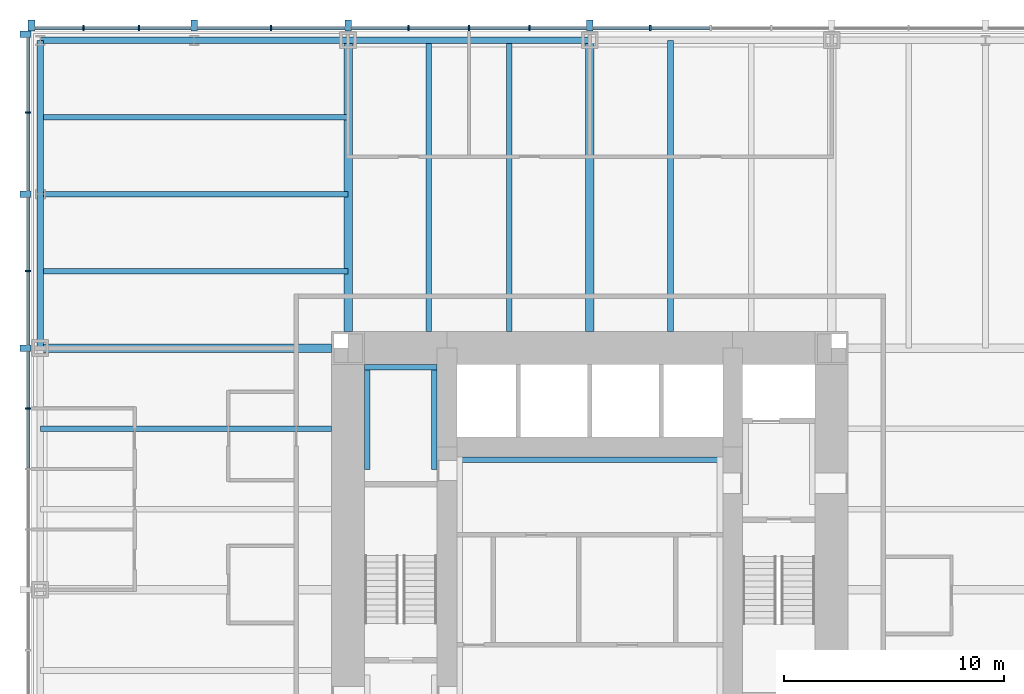
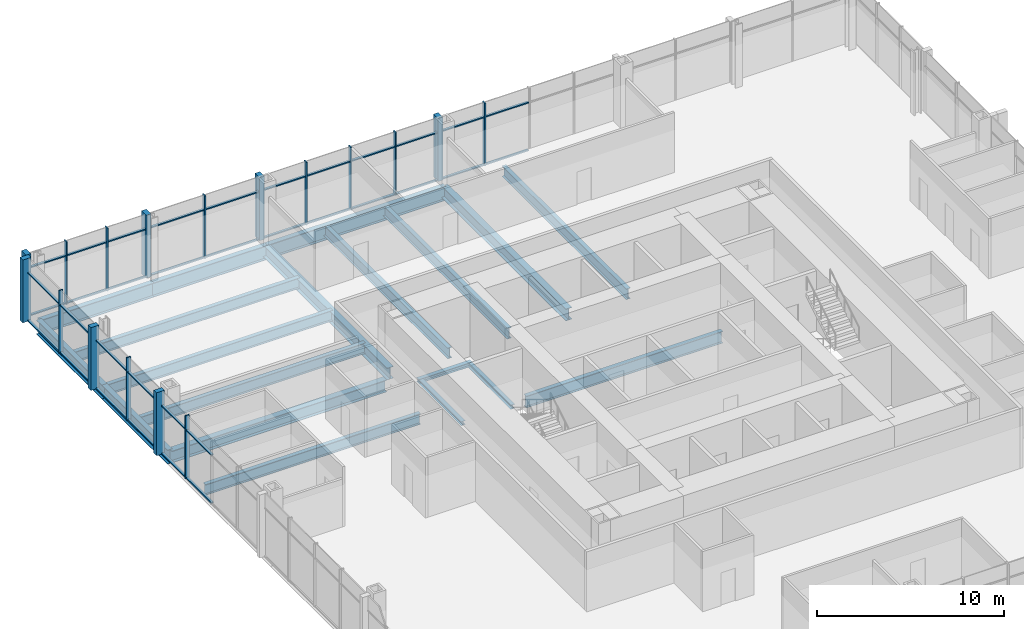
# One storey, part 5 of 12: 51 members, 19 beams, 2 elements without a shape of their own.
"""IFC4 building model written with IfcOpenShell, lengths in metres."""

from ifc_helpers import new_model, si_unit, direction, frame, origin, origin_2d, place, context, subcontext, project, spatial, rectangle, i_section, extrude, material, material_profile, profile_set, type_object, element, aggregate, save


model = new_model("IFC4")

# Units and contexts
model_context = context("Model", 3, precision=1e-05, world=origin(), true_north=direction((0.0, 1.0)))
body_context = subcontext(model_context, "Body", "Model", "MODEL_VIEW")
ifc_project = project(units=[si_unit("LENGTHUNIT", "METRE"), si_unit("AREAUNIT", "SQUARE_METRE"), si_unit("VOLUMEUNIT", "CUBIC_METRE"), si_unit("PLANEANGLEUNIT", "RADIAN"), si_unit("MASSUNIT", "GRAM", prefix="KILO")], contexts=[model_context])

# Site, building, storey
site_placement = place(None, origin())
site = spatial("IfcSite", under=ifc_project, at=site_placement, CompositionType="ELEMENT")
building_placement = place(site_placement, origin())
building = spatial("IfcBuilding", under=site, at=building_placement, Name="Trevanion Tower", CompositionType="ELEMENT")
storey_placement = place(building_placement, frame((0.0, 0.0, 61.10009765625)))
storey = spatial("IfcBuildingStorey", under=building, at=storey_placement, Name="L14", CompositionType="ELEMENT", Elevation=61.10009765625)

# Beams
ifc_material_1 = material(Name="Steel ASTM A992 Grade 50", Category="steel")
ifc_material_profile_1 = material_profile(ifc_material_1, i_section(OverallWidth=0.25390625, OverallDepth=0.700927734375, WebThickness=0.015380859375, FlangeThickness=0.02783203125, at=origin_2d()), Name="W27X129")
ifc_profile_set_1 = profile_set([ifc_material_profile_1], Name="Steel ASTM A992 Grade 50")
beam_type_1 = type_object("IfcBeamType", Name="B3 W27X129", PredefinedType="BEAM", material=ifc_profile_set_1)
for number, where, z_axis, x_axis, name in (
    (1, (3.666748046875, 11.75, -0.54052734375), (0.0, 1.0, 0.0), (-1.0, 0.0, 0.0), "B3 L14"),
    (2, (-3.666748046875, 11.75, -0.54052734375), (0.0, 1.0, 0.0), (-1.0, 0.0, 0.0), "B3 L14"),
    (3, (-7.333251953125, 11.75, -0.54052734375), (0.0, 1.0, 0.0), (-1.0, 0.0, 0.0), "B3 L14"),
    (4, (-11.75, 7.333251953125, -0.54052734375), (-1.0, 0.0, 0.0), (0.0, -1.0, 0.0), "B3 L14"),
):
    element("IfcBeam", number, at=place(storey_placement, frame(where, z_axis=z_axis, x_axis=x_axis)), inside=storey, type_object=beam_type_1, Name=name, PredefinedType="BEAM", context=body_context, shape_type="SweptSolid", body=[
        extrude(i_section(OverallWidth=0.25390625, OverallDepth=0.700927734375, WebThickness=0.015380859375, FlangeThickness=0.02783203125, at=origin_2d()), origin(), (0.0, 0.0, 1.0), 13.25),
    ])
ifc_material_2 = material(Name="Steel ASTM A992 Grade 50", Category="steel")
ifc_material_profile_2 = material_profile(ifc_material_2, i_section(OverallWidth=0.256591796875, OverallDepth=0.693359375, WebThickness=0.014404296875, FlangeThickness=0.023681640625, at=origin_2d()), Name="W27X114")
ifc_profile_set_2 = profile_set([ifc_material_profile_2], Name="Steel ASTM A992 Grade 50")
beam_type_2 = type_object("IfcBeamType", Name="B4 W27X114", PredefinedType="BEAM", material=ifc_profile_set_2)
for number, where, z_axis, x_axis, name in (
    (5, (-11.0, 14.5, -0.536865234375), (-1.0, 0.0, 0.0), (0.0, -1.0, 0.0), "B4 L14"),
    (6, (-11.0, 18.0, -0.536865234375), (-1.0, 0.0, 0.0), (0.0, -1.0, 0.0), "B4 L14"),
    (7, (-11.0, 21.5, -0.536865234375), (-1.0, 0.0, 0.0), (0.0, -1.0, 0.0), "B4 L14"),
):
    element("IfcBeam", number, at=place(storey_placement, frame(where, z_axis=z_axis, x_axis=x_axis)), inside=storey, type_object=beam_type_2, Name=name, PredefinedType="BEAM", context=body_context, shape_type="SweptSolid", body=[
        extrude(i_section(OverallWidth=0.256591796875, OverallDepth=0.693359375, WebThickness=0.014404296875, FlangeThickness=0.023681640625, at=origin_2d()), origin(), (0.0, 0.0, 1.0), 14.0),
    ])

# Curtain wall, members
ifc_material_3 = material(Name="Aluminium and glass", Category="aluminium")
curtain_wall_type = type_object("IfcCurtainWallType", Name="CW1 curtain wall", PredefinedType="USERDEFINED", material=ifc_material_3)
curtain_wall_1_placement = place(storey_placement, origin())
curtain_wall_1 = element("IfcCurtainWall", 8, at=curtain_wall_1_placement, inside=storey, type_object=curtain_wall_type, Name="CW1 L14 1", ObjectType="UNITISED CURTAIN WALL", PredefinedType="USERDEFINED")
ifc_material_4 = material(Name="Aluminium extrusion, anodised bronze", Category="aluminium")
ifc_material_profile_3 = material_profile(ifc_material_4, rectangle(XDim=0.074951171875, YDim=0.25, at=origin_2d()), Name="CW1 mullion")
ifc_profile_set_3 = profile_set([ifc_material_profile_3], Name="Aluminium extrusion, anodised bronze")
member_type_1 = type_object("IfcMemberType", Name="CW1 mullion", PredefinedType="MULLION", material=ifc_profile_set_3)
member_1_placement = place(storey_placement, frame((2.75, 25.550048828125, -0.190185546875), z_axis=(0.0, 0.0, 1.0), x_axis=(-1.0, 0.0, 0.0)))
member_1 = element("IfcMember", 9, at=member_1_placement, type_object=member_type_1, Name="CW1 mullion 8", PredefinedType="MULLION", context=body_context, shape_type="SweptSolid", body=[
    extrude(rectangle(XDim=0.074951171875, YDim=0.25, at=origin_2d()), origin(), (0.0, 0.0, 1.0), 4.10009765625),
])
member_2_placement = place(storey_placement, frame((-2.75, 25.550048828125, -0.190185546875), z_axis=(0.0, 0.0, 1.0), x_axis=(-1.0, 0.0, 0.0)))
member_2 = element("IfcMember", 10, at=member_2_placement, type_object=member_type_1, Name="CW1 mullion 10", PredefinedType="MULLION", context=body_context, shape_type="SweptSolid", body=[
    extrude(rectangle(XDim=0.074951171875, YDim=0.25, at=origin_2d()), origin(), (0.0, 0.0, 1.0), 4.10009765625),
])
member_3_placement = place(storey_placement, frame((-5.5, 25.550048828125, -0.190185546875), z_axis=(0.0, 0.0, 1.0), x_axis=(-1.0, 0.0, 0.0)))
member_3 = element("IfcMember", 11, at=member_3_placement, type_object=member_type_1, Name="CW1 mullion 11", PredefinedType="MULLION", context=body_context, shape_type="SweptSolid", body=[
    extrude(rectangle(XDim=0.074951171875, YDim=0.25, at=origin_2d()), origin(), (0.0, 0.0, 1.0), 4.10009765625),
])
member_4_placement = place(storey_placement, frame((-8.25, 25.550048828125, -0.190185546875), z_axis=(0.0, 0.0, 1.0), x_axis=(-1.0, 0.0, 0.0)))
member_4 = element("IfcMember", 12, at=member_4_placement, type_object=member_type_1, Name="CW1 mullion 12", PredefinedType="MULLION", context=body_context, shape_type="SweptSolid", body=[
    extrude(rectangle(XDim=0.074951171875, YDim=0.25, at=origin_2d()), origin(), (0.0, 0.0, 1.0), 4.10009765625),
])
member_5_placement = place(storey_placement, frame((-14.5, 25.550048828125, -0.190185546875), z_axis=(0.0, 0.0, 1.0), x_axis=(-1.0, 0.0, 0.0)))
member_5 = element("IfcMember", 13, at=member_5_placement, type_object=member_type_1, Name="CW1 mullion 14", PredefinedType="MULLION", context=body_context, shape_type="SweptSolid", body=[
    extrude(rectangle(XDim=0.074951171875, YDim=0.25, at=origin_2d()), origin(), (0.0, 0.0, 1.0), 4.10009765625),
])
member_6_placement = place(storey_placement, frame((-20.5166015625, 25.550048828125, -0.190185546875), z_axis=(0.0, 0.0, 1.0), x_axis=(-1.0, 0.0, 0.0)))
member_6 = element("IfcMember", 14, at=member_6_placement, type_object=member_type_1, Name="CW1 mullion 16", PredefinedType="MULLION", context=body_context, shape_type="SweptSolid", body=[
    extrude(rectangle(XDim=0.074951171875, YDim=0.25, at=origin_2d()), origin(), (0.0, 0.0, 1.0), 4.10009765625),
])
member_7_placement = place(storey_placement, frame((-23.033203125, 25.550048828125, -0.190185546875), z_axis=(0.0, 0.0, 1.0), x_axis=(-1.0, 0.0, 0.0)))
member_7 = element("IfcMember", 15, at=member_7_placement, type_object=member_type_1, Name="CW1 mullion 17", PredefinedType="MULLION", context=body_context, shape_type="SweptSolid", body=[
    extrude(rectangle(XDim=0.074951171875, YDim=0.25, at=origin_2d()), origin(), (0.0, 0.0, 1.0), 4.10009765625),
])

curtain_wall_2_placement = place(storey_placement, origin())
curtain_wall_2 = element("IfcCurtainWall", 16, at=curtain_wall_2_placement, inside=storey, type_object=curtain_wall_type, Name="CW1 L14 2", ObjectType="UNITISED CURTAIN WALL", PredefinedType="USERDEFINED")
member_8_placement = place(storey_placement, frame((-25.550048828125, 21.7099609375, -0.190185546875), z_axis=(0.0, 0.0, 1.0), x_axis=(0.0, -1.0, 0.0)))
member_8 = element("IfcMember", 17, at=member_8_placement, type_object=member_type_1, Name="CW1 mullion 2", PredefinedType="MULLION", context=body_context, shape_type="SweptSolid", body=[
    extrude(rectangle(XDim=0.074951171875, YDim=0.25, at=origin_2d()), origin(), (0.0, 0.0, 1.0), 4.10009765625),
])
member_9_placement = place(storey_placement, frame((-25.550048828125, 14.5, -0.190185546875), z_axis=(0.0, 0.0, 1.0), x_axis=(0.0, -1.0, 0.0)))
member_9 = element("IfcMember", 18, at=member_9_placement, type_object=member_type_1, Name="CW1 mullion 4", PredefinedType="MULLION", context=body_context, shape_type="SweptSolid", body=[
    extrude(rectangle(XDim=0.074951171875, YDim=0.25, at=origin_2d()), origin(), (0.0, 0.0, 1.0), 4.10009765625),
])
member_10_placement = place(storey_placement, frame((-25.550048828125, 8.25, -0.190185546875), z_axis=(0.0, 0.0, 1.0), x_axis=(0.0, -1.0, 0.0)))
member_10 = element("IfcMember", 19, at=member_10_placement, type_object=member_type_1, Name="CW1 mullion 6", PredefinedType="MULLION", context=body_context, shape_type="SweptSolid", body=[
    extrude(rectangle(XDim=0.074951171875, YDim=0.25, at=origin_2d()), origin(), (0.0, 0.0, 1.0), 4.10009765625),
])

# Member
ifc_material_5 = material(Name="Aluminium extrusion, anodised bronze", Category="aluminium")
ifc_material_profile_4 = material_profile(ifc_material_5, rectangle(XDim=0.300048828125, YDim=0.5, at=origin_2d()), Name="CW1 pier mullion")
ifc_profile_set_4 = profile_set([ifc_material_profile_4], Name="Aluminium extrusion, anodised bronze")
member_type_2 = type_object("IfcMemberType", Name="CW1 pier mullion", PredefinedType="MULLION", material=ifc_profile_set_4)
member_11_placement = place(storey_placement, frame((0.0, 25.675048828125, -0.190185546875), z_axis=(0.0, 0.0, 1.0), x_axis=(-1.0, 0.0, 0.0)))
member_11 = element("IfcMember", 20, at=member_11_placement, type_object=member_type_2, Name="CW1 pier mullion 9", PredefinedType="MULLION", context=body_context, shape_type="SweptSolid", body=[
    extrude(rectangle(XDim=0.300048828125, YDim=0.5, at=origin_2d()), origin(), (0.0, 0.0, 1.0), 4.10009765625),
])

member_12_placement = place(storey_placement, frame((-11.0, 25.675048828125, -0.190185546875), z_axis=(0.0, 0.0, 1.0), x_axis=(-1.0, 0.0, 0.0)))
member_12 = element("IfcMember", 21, at=member_12_placement, type_object=member_type_2, Name="CW1 pier mullion 13", PredefinedType="MULLION", context=body_context, shape_type="SweptSolid", body=[
    extrude(rectangle(XDim=0.300048828125, YDim=0.5, at=origin_2d()), origin(), (0.0, 0.0, 1.0), 4.10009765625),
])

member_13_placement = place(storey_placement, frame((-18.0, 25.675048828125, -0.190185546875), z_axis=(0.0, 0.0, 1.0), x_axis=(-1.0, 0.0, 0.0)))
member_13 = element("IfcMember", 22, at=member_13_placement, type_object=member_type_2, Name="CW1 pier mullion 15", PredefinedType="MULLION", context=body_context, shape_type="SweptSolid", body=[
    extrude(rectangle(XDim=0.300048828125, YDim=0.5, at=origin_2d()), origin(), (0.0, 0.0, 1.0), 4.10009765625),
])

member_14_placement = place(storey_placement, frame((-25.39990234375, 25.675048828125, -0.190185546875), z_axis=(0.0, 0.0, 1.0), x_axis=(-1.0, 0.0, 0.0)))
member_14 = element("IfcMember", 23, at=member_14_placement, type_object=member_type_2, Name="CW1 pier mullion 18", PredefinedType="MULLION", context=body_context, shape_type="SweptSolid", body=[
    extrude(rectangle(XDim=0.300048828125, YDim=0.5, at=origin_2d()), origin(), (0.0, 0.0, 1.0), 4.10009765625),
])

member_15_placement = place(storey_placement, frame((-25.675048828125, 25.27001953125, -0.190185546875), z_axis=(0.0, 0.0, 1.0), x_axis=(0.0, -1.0, 0.0)))
member_15 = element("IfcMember", 24, at=member_15_placement, type_object=member_type_2, Name="CW1 pier mullion 1", PredefinedType="MULLION", context=body_context, shape_type="SweptSolid", body=[
    extrude(rectangle(XDim=0.300048828125, YDim=0.5, at=origin_2d()), origin(), (0.0, 0.0, 1.0), 4.10009765625),
])

member_16_placement = place(storey_placement, frame((-25.675048828125, 18.0, -0.190185546875), z_axis=(0.0, 0.0, 1.0), x_axis=(0.0, -1.0, 0.0)))
member_16 = element("IfcMember", 25, at=member_16_placement, type_object=member_type_2, Name="CW1 pier mullion 3", PredefinedType="MULLION", context=body_context, shape_type="SweptSolid", body=[
    extrude(rectangle(XDim=0.300048828125, YDim=0.5, at=origin_2d()), origin(), (0.0, 0.0, 1.0), 4.10009765625),
])

member_17_placement = place(storey_placement, frame((-25.675048828125, 11.0, -0.190185546875), z_axis=(0.0, 0.0, 1.0), x_axis=(0.0, -1.0, 0.0)))
member_17 = element("IfcMember", 26, at=member_17_placement, type_object=member_type_2, Name="CW1 pier mullion 5", PredefinedType="MULLION", context=body_context, shape_type="SweptSolid", body=[
    extrude(rectangle(XDim=0.300048828125, YDim=0.5, at=origin_2d()), origin(), (0.0, 0.0, 1.0), 4.10009765625),
])

ifc_material_6 = material(Name="Aluminium extrusion, anodised bronze", Category="aluminium")
ifc_material_profile_5 = material_profile(ifc_material_6, rectangle(XDim=0.14990234375, YDim=0.074951171875, at=origin_2d()), Name="CW1 transom")
ifc_profile_set_5 = profile_set([ifc_material_profile_5], Name="Aluminium extrusion, anodised bronze")
member_type_3 = type_object("IfcMemberType", Name="CW1 transom", PredefinedType="USERDEFINED", material=ifc_profile_set_5)
member_18_placement = place(storey_placement, frame((5.46240234375, 25.550048828125, -0.152587890625), z_axis=(-1.0, 0.0, 0.0), x_axis=(0.0, -1.0, 0.0)))
member_18 = element("IfcMember", 27, at=member_18_placement, type_object=member_type_3, Name="CW1 transom 7.1", ObjectType="TRANSOM", PredefinedType="USERDEFINED", context=body_context, shape_type="SweptSolid", body=[
    extrude(rectangle(XDim=0.14990234375, YDim=0.074951171875, at=origin_2d()), origin(), (0.0, 0.0, 1.0), 2.6748046875),
])

member_19_placement = place(storey_placement, frame((5.46240234375, 25.550048828125, 2.9599609375), z_axis=(-1.0, 0.0, 0.0), x_axis=(0.0, -1.0, 0.0)))
member_19 = element("IfcMember", 28, at=member_19_placement, type_object=member_type_3, Name="CW1 transom 7.2", ObjectType="TRANSOM", PredefinedType="USERDEFINED", context=body_context, shape_type="SweptSolid", body=[
    extrude(rectangle(XDim=0.14990234375, YDim=0.074951171875, at=origin_2d()), origin(), (0.0, 0.0, 1.0), 2.6748046875),
])

member_20_placement = place(storey_placement, frame((2.71240234375, 25.550048828125, -0.152587890625), z_axis=(-1.0, 0.0, 0.0), x_axis=(0.0, -1.0, 0.0)))
member_20 = element("IfcMember", 29, at=member_20_placement, type_object=member_type_3, Name="CW1 transom 8.1", ObjectType="TRANSOM", PredefinedType="USERDEFINED", context=body_context, shape_type="SweptSolid", body=[
    extrude(rectangle(XDim=0.14990234375, YDim=0.074951171875, at=origin_2d()), origin(), (0.0, 0.0, 1.0), 2.5625),
])

member_21_placement = place(storey_placement, frame((2.71240234375, 25.550048828125, 2.9599609375), z_axis=(-1.0, 0.0, 0.0), x_axis=(0.0, -1.0, 0.0)))
member_21 = element("IfcMember", 30, at=member_21_placement, type_object=member_type_3, Name="CW1 transom 8.2", ObjectType="TRANSOM", PredefinedType="USERDEFINED", context=body_context, shape_type="SweptSolid", body=[
    extrude(rectangle(XDim=0.14990234375, YDim=0.074951171875, at=origin_2d()), origin(), (0.0, 0.0, 1.0), 2.5625),
])

member_22_placement = place(storey_placement, frame((-0.14990234375, 25.550048828125, -0.152587890625), z_axis=(-1.0, 0.0, 0.0), x_axis=(0.0, -1.0, 0.0)))
member_22 = element("IfcMember", 31, at=member_22_placement, type_object=member_type_3, Name="CW1 transom 9.1", ObjectType="TRANSOM", PredefinedType="USERDEFINED", context=body_context, shape_type="SweptSolid", body=[
    extrude(rectangle(XDim=0.14990234375, YDim=0.074951171875, at=origin_2d()), origin(), (0.0, 0.0, 1.0), 2.5625),
])

member_23_placement = place(storey_placement, frame((-0.14990234375, 25.550048828125, 2.9599609375), z_axis=(-1.0, 0.0, 0.0), x_axis=(0.0, -1.0, 0.0)))
member_23 = element("IfcMember", 32, at=member_23_placement, type_object=member_type_3, Name="CW1 transom 9.2", ObjectType="TRANSOM", PredefinedType="USERDEFINED", context=body_context, shape_type="SweptSolid", body=[
    extrude(rectangle(XDim=0.14990234375, YDim=0.074951171875, at=origin_2d()), origin(), (0.0, 0.0, 1.0), 2.5625),
])

member_24_placement = place(storey_placement, frame((-2.78759765625, 25.550048828125, -0.152587890625), z_axis=(-1.0, 0.0, 0.0), x_axis=(0.0, -1.0, 0.0)))
member_24 = element("IfcMember", 33, at=member_24_placement, type_object=member_type_3, Name="CW1 transom 10.1", ObjectType="TRANSOM", PredefinedType="USERDEFINED", context=body_context, shape_type="SweptSolid", body=[
    extrude(rectangle(XDim=0.14990234375, YDim=0.074951171875, at=origin_2d()), origin(), (0.0, 0.0, 1.0), 2.6748046875),
])

member_25_placement = place(storey_placement, frame((-2.78759765625, 25.550048828125, 2.9599609375), z_axis=(-1.0, 0.0, 0.0), x_axis=(0.0, -1.0, 0.0)))
member_25 = element("IfcMember", 34, at=member_25_placement, type_object=member_type_3, Name="CW1 transom 10.2", ObjectType="TRANSOM", PredefinedType="USERDEFINED", context=body_context, shape_type="SweptSolid", body=[
    extrude(rectangle(XDim=0.14990234375, YDim=0.074951171875, at=origin_2d()), origin(), (0.0, 0.0, 1.0), 2.6748046875),
])

member_26_placement = place(storey_placement, frame((-5.53759765625, 25.550048828125, -0.152587890625), z_axis=(-1.0, 0.0, 0.0), x_axis=(0.0, -1.0, 0.0)))
member_26 = element("IfcMember", 35, at=member_26_placement, type_object=member_type_3, Name="CW1 transom 11.1", ObjectType="TRANSOM", PredefinedType="USERDEFINED", context=body_context, shape_type="SweptSolid", body=[
    extrude(rectangle(XDim=0.14990234375, YDim=0.074951171875, at=origin_2d()), origin(), (0.0, 0.0, 1.0), 2.6748046875),
])

member_27_placement = place(storey_placement, frame((-5.53759765625, 25.550048828125, 2.9599609375), z_axis=(-1.0, 0.0, 0.0), x_axis=(0.0, -1.0, 0.0)))
member_27 = element("IfcMember", 36, at=member_27_placement, type_object=member_type_3, Name="CW1 transom 11.2", ObjectType="TRANSOM", PredefinedType="USERDEFINED", context=body_context, shape_type="SweptSolid", body=[
    extrude(rectangle(XDim=0.14990234375, YDim=0.074951171875, at=origin_2d()), origin(), (0.0, 0.0, 1.0), 2.6748046875),
])

member_28_placement = place(storey_placement, frame((-8.28759765625, 25.550048828125, -0.152587890625), z_axis=(-1.0, 0.0, 0.0), x_axis=(0.0, -1.0, 0.0)))
member_28 = element("IfcMember", 37, at=member_28_placement, type_object=member_type_3, Name="CW1 transom 12.1", ObjectType="TRANSOM", PredefinedType="USERDEFINED", context=body_context, shape_type="SweptSolid", body=[
    extrude(rectangle(XDim=0.14990234375, YDim=0.074951171875, at=origin_2d()), origin(), (0.0, 0.0, 1.0), 2.5625),
])

member_29_placement = place(storey_placement, frame((-8.28759765625, 25.550048828125, 2.9599609375), z_axis=(-1.0, 0.0, 0.0), x_axis=(0.0, -1.0, 0.0)))
member_29 = element("IfcMember", 38, at=member_29_placement, type_object=member_type_3, Name="CW1 transom 12.2", ObjectType="TRANSOM", PredefinedType="USERDEFINED", context=body_context, shape_type="SweptSolid", body=[
    extrude(rectangle(XDim=0.14990234375, YDim=0.074951171875, at=origin_2d()), origin(), (0.0, 0.0, 1.0), 2.5625),
])

member_30_placement = place(storey_placement, frame((-11.14990234375, 25.550048828125, -0.152587890625), z_axis=(-1.0, 0.0, 0.0), x_axis=(0.0, -1.0, 0.0)))
member_30 = element("IfcMember", 39, at=member_30_placement, type_object=member_type_3, Name="CW1 transom 13.1", ObjectType="TRANSOM", PredefinedType="USERDEFINED", context=body_context, shape_type="SweptSolid", body=[
    extrude(rectangle(XDim=0.14990234375, YDim=0.074951171875, at=origin_2d()), origin(), (0.0, 0.0, 1.0), 3.3125),
])

member_31_placement = place(storey_placement, frame((-11.14990234375, 25.550048828125, 2.9599609375), z_axis=(-1.0, 0.0, 0.0), x_axis=(0.0, -1.0, 0.0)))
member_31 = element("IfcMember", 40, at=member_31_placement, type_object=member_type_3, Name="CW1 transom 13.2", ObjectType="TRANSOM", PredefinedType="USERDEFINED", context=body_context, shape_type="SweptSolid", body=[
    extrude(rectangle(XDim=0.14990234375, YDim=0.074951171875, at=origin_2d()), origin(), (0.0, 0.0, 1.0), 3.3125),
])

member_32_placement = place(storey_placement, frame((-14.53759765625, 25.550048828125, -0.152587890625), z_axis=(-1.0, 0.0, 0.0), x_axis=(0.0, -1.0, 0.0)))
member_32 = element("IfcMember", 41, at=member_32_placement, type_object=member_type_3, Name="CW1 transom 14.1", ObjectType="TRANSOM", PredefinedType="USERDEFINED", context=body_context, shape_type="SweptSolid", body=[
    extrude(rectangle(XDim=0.14990234375, YDim=0.074951171875, at=origin_2d()), origin(), (0.0, 0.0, 1.0), 3.3125),
])

member_33_placement = place(storey_placement, frame((-14.53759765625, 25.550048828125, 2.9599609375), z_axis=(-1.0, 0.0, 0.0), x_axis=(0.0, -1.0, 0.0)))
member_33 = element("IfcMember", 42, at=member_33_placement, type_object=member_type_3, Name="CW1 transom 14.2", ObjectType="TRANSOM", PredefinedType="USERDEFINED", context=body_context, shape_type="SweptSolid", body=[
    extrude(rectangle(XDim=0.14990234375, YDim=0.074951171875, at=origin_2d()), origin(), (0.0, 0.0, 1.0), 3.3125),
])

member_34_placement = place(storey_placement, frame((-18.14990234375, 25.550048828125, -0.152587890625), z_axis=(-1.0, 0.0, 0.0), x_axis=(0.0, -1.0, 0.0)))
member_34 = element("IfcMember", 43, at=member_34_placement, type_object=member_type_3, Name="CW1 transom 15.1", ObjectType="TRANSOM", PredefinedType="USERDEFINED", context=body_context, shape_type="SweptSolid", body=[
    extrude(rectangle(XDim=0.14990234375, YDim=0.074951171875, at=origin_2d()), origin(), (0.0, 0.0, 1.0), 2.329345703125),
])

member_35_placement = place(storey_placement, frame((-18.14990234375, 25.550048828125, 2.9599609375), z_axis=(-1.0, 0.0, 0.0), x_axis=(0.0, -1.0, 0.0)))
member_35 = element("IfcMember", 44, at=member_35_placement, type_object=member_type_3, Name="CW1 transom 15.2", ObjectType="TRANSOM", PredefinedType="USERDEFINED", context=body_context, shape_type="SweptSolid", body=[
    extrude(rectangle(XDim=0.14990234375, YDim=0.074951171875, at=origin_2d()), origin(), (0.0, 0.0, 1.0), 2.329345703125),
])

member_36_placement = place(storey_placement, frame((-20.55419921875, 25.550048828125, -0.152587890625), z_axis=(-1.0, 0.0, 0.0), x_axis=(0.0, -1.0, 0.0)))
member_36 = element("IfcMember", 45, at=member_36_placement, type_object=member_type_3, Name="CW1 transom 16.1", ObjectType="TRANSOM", PredefinedType="USERDEFINED", context=body_context, shape_type="SweptSolid", body=[
    extrude(rectangle(XDim=0.14990234375, YDim=0.074951171875, at=origin_2d()), origin(), (0.0, 0.0, 1.0), 2.441650390625),
])

member_37_placement = place(storey_placement, frame((-20.55419921875, 25.550048828125, 2.9599609375), z_axis=(-1.0, 0.0, 0.0), x_axis=(0.0, -1.0, 0.0)))
member_37 = element("IfcMember", 46, at=member_37_placement, type_object=member_type_3, Name="CW1 transom 16.2", ObjectType="TRANSOM", PredefinedType="USERDEFINED", context=body_context, shape_type="SweptSolid", body=[
    extrude(rectangle(XDim=0.14990234375, YDim=0.074951171875, at=origin_2d()), origin(), (0.0, 0.0, 1.0), 2.441650390625),
])

member_38_placement = place(storey_placement, frame((-23.07080078125, 25.550048828125, -0.152587890625), z_axis=(-1.0, 0.0, 0.0), x_axis=(0.0, -1.0, 0.0)))
member_38 = element("IfcMember", 47, at=member_38_placement, type_object=member_type_3, Name="CW1 transom 17.1", ObjectType="TRANSOM", PredefinedType="USERDEFINED", context=body_context, shape_type="SweptSolid", body=[
    extrude(rectangle(XDim=0.14990234375, YDim=0.074951171875, at=origin_2d()), origin(), (0.0, 0.0, 1.0), 2.17919921875),
])

member_39_placement = place(storey_placement, frame((-23.07080078125, 25.550048828125, 2.9599609375), z_axis=(-1.0, 0.0, 0.0), x_axis=(0.0, -1.0, 0.0)))
member_39 = element("IfcMember", 48, at=member_39_placement, type_object=member_type_3, Name="CW1 transom 17.2", ObjectType="TRANSOM", PredefinedType="USERDEFINED", context=body_context, shape_type="SweptSolid", body=[
    extrude(rectangle(XDim=0.14990234375, YDim=0.074951171875, at=origin_2d()), origin(), (0.0, 0.0, 1.0), 2.17919921875),
])

aggregate(curtain_wall_1, [member_1, member_11, member_2, member_3, member_4, member_12, member_5, member_13, member_6, member_7, member_14, member_18, member_19, member_20, member_21, member_22, member_23, member_24, member_25, member_26, member_27, member_28, member_29, member_30, member_31, member_32, member_33, member_34, member_35, member_36, member_37, member_38, member_39])

member_40_placement = place(storey_placement, frame((-25.550048828125, 25.1201171875, -0.152587890625), z_axis=(0.0, -1.0, 0.0), x_axis=(1.0, 0.0, 0.0)))
member_40 = element("IfcMember", 49, at=member_40_placement, type_object=member_type_3, Name="CW1 transom 1.1", ObjectType="TRANSOM", PredefinedType="USERDEFINED", context=body_context, shape_type="SweptSolid", body=[
    extrude(rectangle(XDim=0.14990234375, YDim=0.074951171875, at=origin_2d()), origin(), (0.0, 0.0, 1.0), 3.37255859375),
])

member_41_placement = place(storey_placement, frame((-25.550048828125, 25.1201171875, 2.9599609375), z_axis=(0.0, -1.0, 0.0), x_axis=(1.0, 0.0, 0.0)))
member_41 = element("IfcMember", 50, at=member_41_placement, type_object=member_type_3, Name="CW1 transom 1.2", ObjectType="TRANSOM", PredefinedType="USERDEFINED", context=body_context, shape_type="SweptSolid", body=[
    extrude(rectangle(XDim=0.14990234375, YDim=0.074951171875, at=origin_2d()), origin(), (0.0, 0.0, 1.0), 3.37255859375),
])

member_42_placement = place(storey_placement, frame((-25.550048828125, 21.672607421875, -0.152587890625), z_axis=(0.0, -1.0, 0.0), x_axis=(1.0, 0.0, 0.0)))
member_42 = element("IfcMember", 51, at=member_42_placement, type_object=member_type_3, Name="CW1 transom 2.1", ObjectType="TRANSOM", PredefinedType="USERDEFINED", context=body_context, shape_type="SweptSolid", body=[
    extrude(rectangle(XDim=0.14990234375, YDim=0.074951171875, at=origin_2d()), origin(), (0.0, 0.0, 1.0), 3.522705078125),
])

member_43_placement = place(storey_placement, frame((-25.550048828125, 21.672607421875, 2.9599609375), z_axis=(0.0, -1.0, 0.0), x_axis=(1.0, 0.0, 0.0)))
member_43 = element("IfcMember", 52, at=member_43_placement, type_object=member_type_3, Name="CW1 transom 2.2", ObjectType="TRANSOM", PredefinedType="USERDEFINED", context=body_context, shape_type="SweptSolid", body=[
    extrude(rectangle(XDim=0.14990234375, YDim=0.074951171875, at=origin_2d()), origin(), (0.0, 0.0, 1.0), 3.522705078125),
])

member_44_placement = place(storey_placement, frame((-25.550048828125, 17.85009765625, -0.152587890625), z_axis=(0.0, -1.0, 0.0), x_axis=(1.0, 0.0, 0.0)))
member_44 = element("IfcMember", 53, at=member_44_placement, type_object=member_type_3, Name="CW1 transom 3.1", ObjectType="TRANSOM", PredefinedType="USERDEFINED", context=body_context, shape_type="SweptSolid", body=[
    extrude(rectangle(XDim=0.14990234375, YDim=0.074951171875, at=origin_2d()), origin(), (0.0, 0.0, 1.0), 3.3125),
])

member_45_placement = place(storey_placement, frame((-25.550048828125, 17.85009765625, 2.9599609375), z_axis=(0.0, -1.0, 0.0), x_axis=(1.0, 0.0, 0.0)))
member_45 = element("IfcMember", 54, at=member_45_placement, type_object=member_type_3, Name="CW1 transom 3.2", ObjectType="TRANSOM", PredefinedType="USERDEFINED", context=body_context, shape_type="SweptSolid", body=[
    extrude(rectangle(XDim=0.14990234375, YDim=0.074951171875, at=origin_2d()), origin(), (0.0, 0.0, 1.0), 3.3125),
])

member_46_placement = place(storey_placement, frame((-25.550048828125, 14.46240234375, -0.152587890625), z_axis=(0.0, -1.0, 0.0), x_axis=(1.0, 0.0, 0.0)))
member_46 = element("IfcMember", 55, at=member_46_placement, type_object=member_type_3, Name="CW1 transom 4.1", ObjectType="TRANSOM", PredefinedType="USERDEFINED", context=body_context, shape_type="SweptSolid", body=[
    extrude(rectangle(XDim=0.14990234375, YDim=0.074951171875, at=origin_2d()), origin(), (0.0, 0.0, 1.0), 3.3125),
])

member_47_placement = place(storey_placement, frame((-25.550048828125, 14.46240234375, 2.9599609375), z_axis=(0.0, -1.0, 0.0), x_axis=(1.0, 0.0, 0.0)))
member_47 = element("IfcMember", 56, at=member_47_placement, type_object=member_type_3, Name="CW1 transom 4.2", ObjectType="TRANSOM", PredefinedType="USERDEFINED", context=body_context, shape_type="SweptSolid", body=[
    extrude(rectangle(XDim=0.14990234375, YDim=0.074951171875, at=origin_2d()), origin(), (0.0, 0.0, 1.0), 3.3125),
])

member_48_placement = place(storey_placement, frame((-25.550048828125, 10.85009765625, -0.152587890625), z_axis=(0.0, -1.0, 0.0), x_axis=(1.0, 0.0, 0.0)))
member_48 = element("IfcMember", 57, at=member_48_placement, type_object=member_type_3, Name="CW1 transom 5.1", ObjectType="TRANSOM", PredefinedType="USERDEFINED", context=body_context, shape_type="SweptSolid", body=[
    extrude(rectangle(XDim=0.14990234375, YDim=0.074951171875, at=origin_2d()), origin(), (0.0, 0.0, 1.0), 2.5625),
])

member_49_placement = place(storey_placement, frame((-25.550048828125, 10.85009765625, 2.9599609375), z_axis=(0.0, -1.0, 0.0), x_axis=(1.0, 0.0, 0.0)))
member_49 = element("IfcMember", 58, at=member_49_placement, type_object=member_type_3, Name="CW1 transom 5.2", ObjectType="TRANSOM", PredefinedType="USERDEFINED", context=body_context, shape_type="SweptSolid", body=[
    extrude(rectangle(XDim=0.14990234375, YDim=0.074951171875, at=origin_2d()), origin(), (0.0, 0.0, 1.0), 2.5625),
])

member_50_placement = place(storey_placement, frame((-25.550048828125, 8.21240234375, -0.152587890625), z_axis=(0.0, -1.0, 0.0), x_axis=(1.0, 0.0, 0.0)))
member_50 = element("IfcMember", 59, at=member_50_placement, type_object=member_type_3, Name="CW1 transom 6.1", ObjectType="TRANSOM", PredefinedType="USERDEFINED", context=body_context, shape_type="SweptSolid", body=[
    extrude(rectangle(XDim=0.14990234375, YDim=0.074951171875, at=origin_2d()), origin(), (0.0, 0.0, 1.0), 2.6748046875),
])

member_51_placement = place(storey_placement, frame((-25.550048828125, 8.21240234375, 2.9599609375), z_axis=(0.0, -1.0, 0.0), x_axis=(1.0, 0.0, 0.0)))
member_51 = element("IfcMember", 60, at=member_51_placement, type_object=member_type_3, Name="CW1 transom 6.2", ObjectType="TRANSOM", PredefinedType="USERDEFINED", context=body_context, shape_type="SweptSolid", body=[
    extrude(rectangle(XDim=0.14990234375, YDim=0.074951171875, at=origin_2d()), origin(), (0.0, 0.0, 1.0), 2.6748046875),
])

aggregate(curtain_wall_2, [member_15, member_8, member_16, member_9, member_17, member_10, member_40, member_41, member_42, member_43, member_44, member_45, member_46, member_47, member_48, member_49, member_50, member_51])

# Beams
ifc_material_7 = material(Name="Steel ASTM A992 Grade 50", Category="steel")
ifc_material_profile_6 = material_profile(ifc_material_7, i_section(OverallWidth=0.381103515625, OverallDepth=0.77978515625, WebThickness=0.01806640625, FlangeThickness=0.0302734375, at=origin_2d()), Name="W30X191")
ifc_profile_set_6 = profile_set([ifc_material_profile_6], Name="Steel ASTM A992 Grade 50")
beam_type_3 = type_object("IfcBeamType", Name="G2 W30X191", PredefinedType="BEAM", material=ifc_profile_set_6)
for number, where, z_axis, x_axis, name in (
    (61, (0.0, 11.75, -0.580078125), (0.0, 1.0, 0.0), (-1.0, 0.0, 0.0), "G2 L14"),
    (62, (-11.0, 11.75, -0.580078125), (0.0, 1.0, 0.0), (-1.0, 0.0, 0.0), "G2 L14"),
    (63, (-11.75, 11.0, -0.580078125), (-1.0, 0.0, 0.0), (0.0, -1.0, 0.0), "G2 L14"),
):
    element("IfcBeam", number, at=place(storey_placement, frame(where, z_axis=z_axis, x_axis=x_axis)), inside=storey, type_object=beam_type_3, Name=name, PredefinedType="BEAM", context=body_context, shape_type="SweptSolid", body=[
        extrude(i_section(OverallWidth=0.381103515625, OverallDepth=0.77978515625, WebThickness=0.01806640625, FlangeThickness=0.0302734375, at=origin_2d()), origin(), (0.0, 0.0, 1.0), 13.25),
    ])
ifc_material_8 = material(Name="Steel ASTM A992 Grade 50", Category="steel")
ifc_material_profile_7 = material_profile(ifc_material_8, i_section(OverallWidth=0.256591796875, OverallDepth=0.26416015625, WebThickness=0.011962890625, FlangeThickness=0.01953125, at=origin_2d()), Name="W10X68")
ifc_profile_set_7 = profile_set([ifc_material_profile_7], Name="Steel ASTM A992 Grade 50")
beam_type_4 = type_object("IfcBeamType", Name="LB1 W10X68", PredefinedType="BEAM", material=ifc_profile_set_7)
for number, where, z_axis, x_axis, name in (
    (64, (-10.12158203125, 5.47509765625, -0.332275390625), (0.0, 1.0, 0.0), (-1.0, 0.0, 0.0), "LB1 L14"),
    (65, (-7.078369140625, 5.47509765625, -0.332275390625), (0.0, 1.0, 0.0), (-1.0, 0.0, 0.0), "LB1 L14"),
):
    element("IfcBeam", number, at=place(storey_placement, frame(where, z_axis=z_axis, x_axis=x_axis)), inside=storey, type_object=beam_type_4, Name=name, PredefinedType="BEAM", context=body_context, shape_type="SweptSolid", body=[
        extrude(i_section(OverallWidth=0.256591796875, OverallDepth=0.26416015625, WebThickness=0.011962890625, FlangeThickness=0.01953125, at=origin_2d()), origin(), (0.0, 0.0, 1.0), 4.77490234375),
    ])
beam_1_placement = place(storey_placement, frame((-10.25, 10.12158203125, -0.332275390625), z_axis=(1.0, 0.0, 0.0), x_axis=(0.0, 1.0, 0.0)))
element("IfcBeam", 66, at=beam_1_placement, inside=storey, type_object=beam_type_4, Name="LB1 L14", PredefinedType="BEAM", context=body_context, shape_type="SweptSolid", body=[
    extrude(i_section(OverallWidth=0.256591796875, OverallDepth=0.26416015625, WebThickness=0.011962890625, FlangeThickness=0.01953125, at=origin_2d()), origin(), (0.0, 0.0, 1.0), 3.300048828125),
])
ifc_material_9 = material(Name="Steel ASTM A992 Grade 50", Category="steel")
ifc_material_profile_8 = material_profile(ifc_material_9, i_section(OverallWidth=0.2666015625, OverallDepth=0.76953125, WebThickness=0.015625, FlangeThickness=0.025390625, at=origin_2d()), Name="W30X132")
ifc_profile_set_8 = profile_set([ifc_material_profile_8], Name="Steel ASTM A992 Grade 50")
beam_type_5 = type_object("IfcBeamType", Name="LB3 W30X132", PredefinedType="BEAM", material=ifc_profile_set_8)
beam_2_placement = place(storey_placement, frame((-6.050048828125, 5.91650390625, -0.5849609375), z_axis=(1.0, 0.0, 0.0), x_axis=(0.0, 1.0, 0.0)))
element("IfcBeam", 67, at=beam_2_placement, inside=storey, type_object=beam_type_5, Name="LB3 L14", PredefinedType="BEAM", context=body_context, shape_type="SweptSolid", body=[
    extrude(i_section(OverallWidth=0.2666015625, OverallDepth=0.76953125, WebThickness=0.015625, FlangeThickness=0.025390625, at=origin_2d()), origin(), (0.0, 0.0, 1.0), 12.10009765625),
])
ifc_material_10 = material(Name="Steel ASTM A992 Grade 50", Category="steel")
ifc_material_profile_9 = material_profile(ifc_material_10, i_section(OverallWidth=0.307373046875, OverallDepth=0.927001953125, WebThickness=0.01953125, FlangeThickness=0.031982421875, at=origin_2d()), Name="W36X194")
ifc_profile_set_9 = profile_set([ifc_material_profile_9], Name="Steel ASTM A992 Grade 50")
beam_type_6 = type_object("IfcBeamType", Name="SB2 W36X194", PredefinedType="SPANDREL", material=ifc_profile_set_9)
beam_3_placement = place(storey_placement, frame((0.0, 25.0, -0.653564453125), z_axis=(-1.0, 0.0, 0.0), x_axis=(0.0, -1.0, 0.0)))
element("IfcBeam", 68, at=beam_3_placement, inside=storey, type_object=beam_type_6, Name="SB2 L14", PredefinedType="SPANDREL", context=body_context, shape_type="SweptSolid", body=[
    extrude(i_section(OverallWidth=0.307373046875, OverallDepth=0.927001953125, WebThickness=0.01953125, FlangeThickness=0.031982421875, at=origin_2d()), origin(), (0.0, 0.0, 1.0), 11.0),
])
for number, where, z_axis, x_axis, name in (
    (69, (-11.0, 25.0, -0.653564453125), (-1.0, 0.0, 0.0), (0.0, -1.0, 0.0), "SB2 L14"),
    (70, (-18.0, 25.0, -0.653564453125), (-1.0, 0.0, 0.0), (0.0, -1.0, 0.0), "SB2 L14"),
    (71, (-25.0, 25.0, -0.653564453125), (0.0, -1.0, 0.0), (1.0, 0.0, 0.0), "SB2 L14"),
    (72, (-25.0, 18.0, -0.653564453125), (0.0, -1.0, 0.0), (1.0, 0.0, 0.0), "SB2 L14"),
):
    element("IfcBeam", number, at=place(storey_placement, frame(where, z_axis=z_axis, x_axis=x_axis)), inside=storey, type_object=beam_type_6, Name=name, PredefinedType="SPANDREL", context=body_context, shape_type="SweptSolid", body=[
        extrude(i_section(OverallWidth=0.307373046875, OverallDepth=0.927001953125, WebThickness=0.01953125, FlangeThickness=0.031982421875, at=origin_2d()), origin(), (0.0, 0.0, 1.0), 7.0),
    ])

save(model, "model.ifc")
